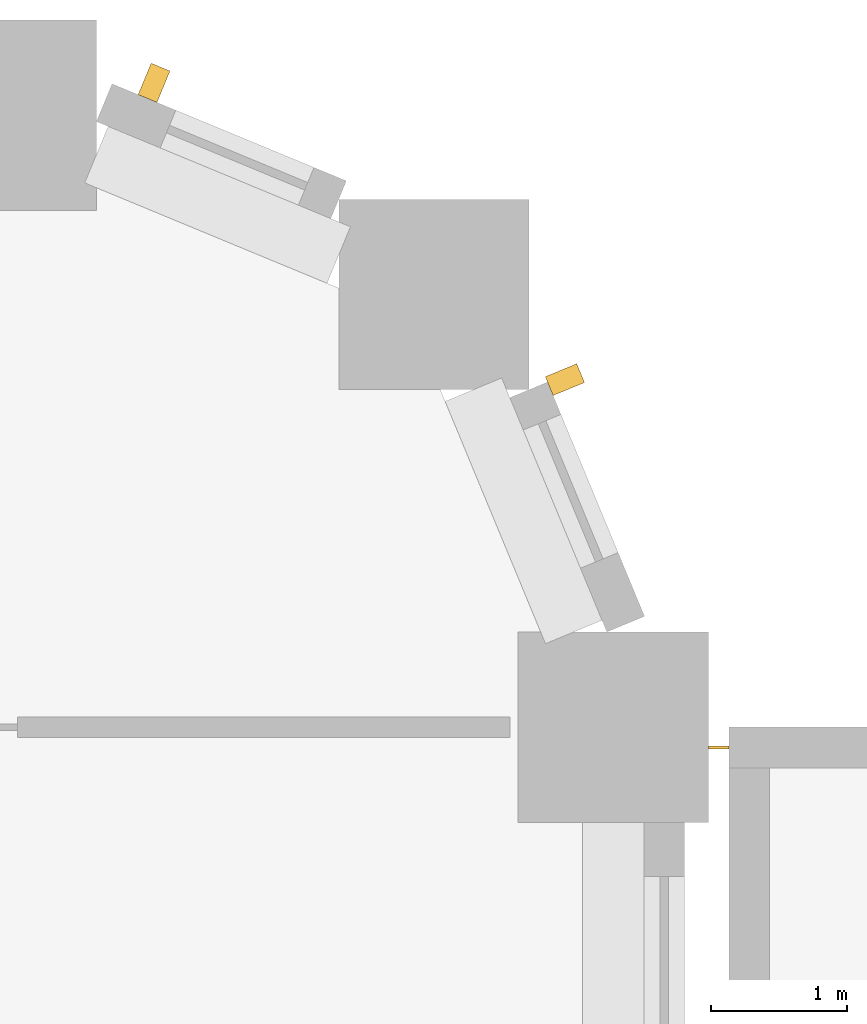
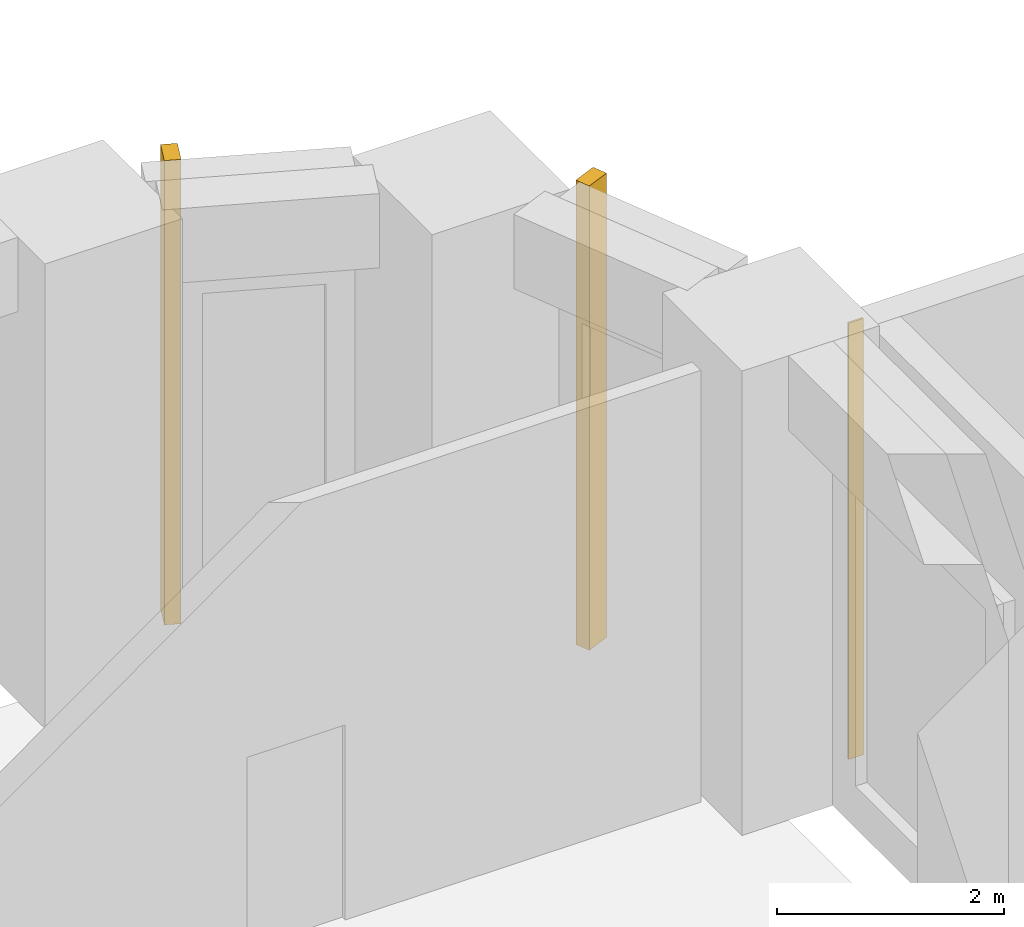
# One storey, part 21 of 24: 2 shading devices, 1 covering.
"""IFC4 building model written with IfcOpenShell, lengths in metres."""

from ifc_helpers import new_model, si_unit, direction, frame, origin, origin_2d, place, context, subcontext, project, spatial, rectangle, extrude, material, layer, layer_set, type_object, element, save


model = new_model("IFC4")

# Units and contexts
model_context = context("Model", 3, precision=1e-05, world=origin(), true_north=direction((0.0, 1.0)))
body_context = subcontext(model_context, "Body", "Model", "MODEL_VIEW")
ifc_project = project(units=[si_unit("LENGTHUNIT", "METRE"), si_unit("AREAUNIT", "SQUARE_METRE"), si_unit("VOLUMEUNIT", "CUBIC_METRE"), si_unit("PLANEANGLEUNIT", "RADIAN"), si_unit("MASSUNIT", "GRAM", prefix="KILO")], contexts=[model_context])

# Site, building, storey
site_placement = place(None, origin())
site = spatial("IfcSite", under=ifc_project, at=site_placement, CompositionType="ELEMENT")
building_placement = place(site_placement, origin())
building = spatial("IfcBuilding", under=site, at=building_placement, Name="Girih Gate Residences", CompositionType="ELEMENT")
storey_placement = place(building_placement, frame((0.0, 0.0, 16.0)))
storey = spatial("IfcBuildingStorey", under=building, at=storey_placement, Name="L03", CompositionType="ELEMENT", Elevation=16.0)

# Shading devices
ifc_material_1 = material(Name="Precast concrete C50/60", Category="concrete")
shading_device_type = type_object("IfcShadingDeviceType", Name="Corner rib 150x250", PredefinedType="USERDEFINED", material=ifc_material_1)
for number, where, z_axis, x_axis, name in (
    (1, (49.14501953125, 47.5556640625, 0.0), (0.0, 0.0, 1.0), (-0.382683432365, 0.923879532511, 0.0), "Corner rib NE0495_0450.0"),
    (2, (46.123779296875, 49.738037109375, 0.0), (0.0, 0.0, 1.0), (-0.923879532511, 0.382683432365, 0.0), "Corner rib NE0482_0482.0"),
):
    element("IfcShadingDevice", number, at=place(storey_placement, frame(where, z_axis=z_axis, x_axis=x_axis)), inside=storey, type_object=shading_device_type, Name=name, ObjectType="FIN", PredefinedType="USERDEFINED", context=body_context, shape_type="SweptSolid", body=[
        extrude(rectangle(XDim=0.14990234375, YDim=0.25, at=origin_2d()), origin(), (0.0, 0.0, 1.0), 5.0),
    ])

# Covering
ifc_material_2 = material(Name="Stainless steel cover plate", Category="steel")
ifc_layer = layer(ifc_material_2, 0.02001953125)
ifc_layer_set = layer_set([ifc_layer], Name="HC Movement joint cover plate")
covering_type = type_object("IfcCoveringType", Name="HC Movement joint cover plate", PredefinedType="CLADDING", material=ifc_layer_set)
covering_placement = place(storey_placement, frame((50.27490234375, 44.85009765625, 0.0), z_axis=(0.0, 0.0, 1.0), x_axis=(1.0, 0.0, 0.0)))
element("IfcCovering", 3, at=covering_placement, inside=storey, type_object=covering_type, Name="L03 joint between tower and health centre cover plate 2", PredefinedType="CLADDING", context=body_context, shape_type="SweptSolid", body=[
    extrude(rectangle(XDim=0.14990234375, YDim=0.02001953125, at=origin_2d()), origin(), (0.0, 0.0, 1.0), 4.699951171875),
])

save(model, "model.ifc")
